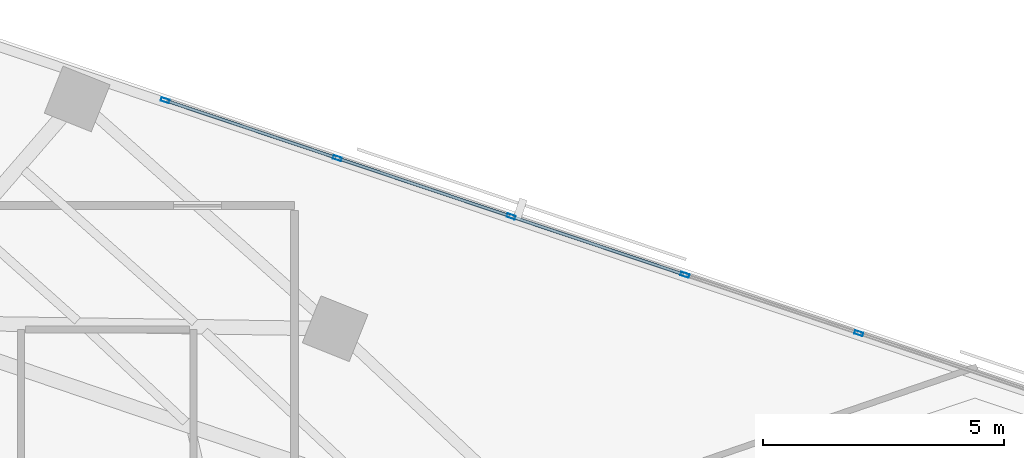
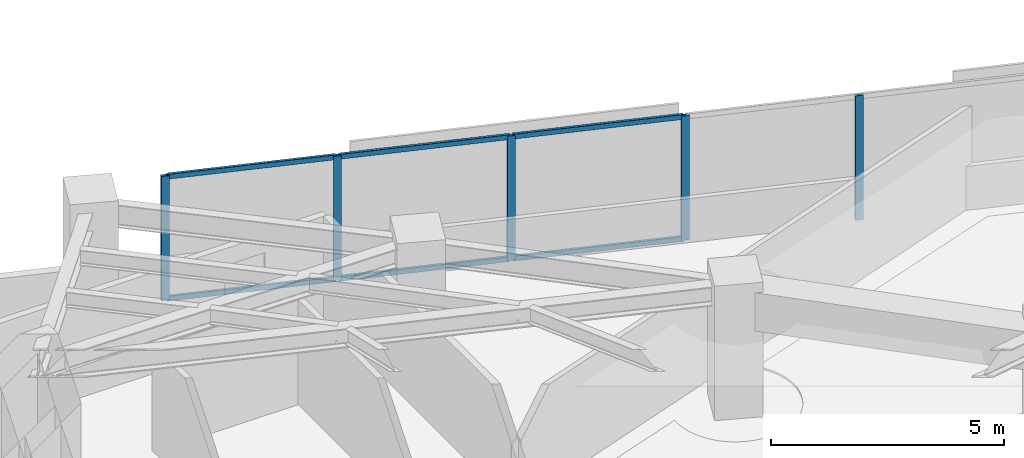
# One storey, part 4 of 15: 11 members, 1 element without a shape of its own.
"""IFC4 building model written with IfcOpenShell, lengths in metres."""

from ifc_helpers import new_model, si_unit, direction, frame, origin, origin_2d, place, context, subcontext, project, spatial, hollow_rectangle, extrude, material, material_profile, profile_set, type_object, element, aggregate, save


model = new_model("IFC4")

# Units and contexts
model_context = context("Model", 3, precision=1e-05, world=origin(), true_north=direction((0.0, 1.0)))
body_context = subcontext(model_context, "Body", "Model", "MODEL_VIEW")
ifc_project = project(units=[si_unit("LENGTHUNIT", "METRE"), si_unit("AREAUNIT", "SQUARE_METRE"), si_unit("VOLUMEUNIT", "CUBIC_METRE"), si_unit("PLANEANGLEUNIT", "RADIAN"), si_unit("MASSUNIT", "GRAM", prefix="KILO")], contexts=[model_context])

# Site, building, storey
site_placement = place(None, origin())
site = spatial("IfcSite", under=ifc_project, at=site_placement, CompositionType="ELEMENT")
building_placement = place(site_placement, origin())
building = spatial("IfcBuilding", under=site, at=building_placement, Name="Narakoshi Arena Tower", CompositionType="ELEMENT")
storey_placement = place(building_placement, frame((0.0, 0.0, 186.139892578125)))
storey = spatial("IfcBuildingStorey", under=building, at=storey_placement, Name="L50", CompositionType="ELEMENT", Elevation=186.139892578125)

# Curtain wall, members
ifc_material = material(Name="Anodised bronze aluminium 6063-T6", Category="aluminium")
curtain_wall_type = type_object("IfcCurtainWallType", Name="CW-HYP-MID", PredefinedType="NOTDEFINED", material=ifc_material)
curtain_wall_placement = place(storey_placement, origin())
curtain_wall = element("IfcCurtainWall", 1, at=curtain_wall_placement, inside=storey, type_object=curtain_wall_type, Name="L50 Folded Hypotenuse Curtain Wall 1-1", PredefinedType="NOTDEFINED")
ifc_material_profile_1 = material_profile(ifc_material, hollow_rectangle(XDim=0.074951171875, YDim=0.179931640625, WallThickness=0.00390625, OuterFilletRadius=0.0048828125, at=origin_2d()), Name="MUL180x75x4")
ifc_profile_set_1 = profile_set([ifc_material_profile_1], Name="Anodised bronze aluminium 6063-T6")
member_type_1 = type_object("IfcMemberType", Name="MEM-MUL-180", PredefinedType="MULLION", material=ifc_profile_set_1)
member_1_placement = place(storey_placement, frame((105.783447265625, 56.272705078125, 0.0), z_axis=(0.0, 0.0, 1.0), x_axis=(-0.318260960253, -0.948003144077, 0.0)))
member_1 = element("IfcMember", 2, at=member_1_placement, type_object=member_type_1, Name="CW-02 mullion 4", PredefinedType="MULLION", context=body_context, shape_type="SweptSolid", body=[
    extrude(hollow_rectangle(XDim=0.074951171875, YDim=0.179931640625, WallThickness=0.00390625, OuterFilletRadius=0.0048828125, at=origin_2d()), origin(), (0.0, 0.0, 1.0), 3.260009765625),
])
member_2_placement = place(storey_placement, frame((102.176025390625, 57.48388671875, 0.0), z_axis=(0.0, 0.0, 1.0), x_axis=(-0.318260960253, -0.948003144077, 0.0)))
member_2 = element("IfcMember", 3, at=member_2_placement, type_object=member_type_1, Name="CW-02 mullion 5", PredefinedType="MULLION", context=body_context, shape_type="SweptSolid", body=[
    extrude(hollow_rectangle(XDim=0.074951171875, YDim=0.179931640625, WallThickness=0.00390625, OuterFilletRadius=0.0048828125, at=origin_2d()), origin(), (0.0, 0.0, 1.0), 3.260009765625),
])
member_3_placement = place(storey_placement, frame((98.568359375, 58.695068359375, 0.0), z_axis=(0.0, 0.0, 1.0), x_axis=(-0.318260960253, -0.948003144077, 0.0)))
member_3 = element("IfcMember", 4, at=member_3_placement, type_object=member_type_1, Name="CW-02 mullion 6", PredefinedType="MULLION", context=body_context, shape_type="SweptSolid", body=[
    extrude(hollow_rectangle(XDim=0.074951171875, YDim=0.179931640625, WallThickness=0.00390625, OuterFilletRadius=0.0048828125, at=origin_2d()), origin(), (0.0, 0.0, 1.0), 3.260009765625),
])
member_4_placement = place(storey_placement, frame((94.960693359375, 59.90625, 0.0), z_axis=(0.0, 0.0, 1.0), x_axis=(-0.318260960253, -0.948003144077, 0.0)))
member_4 = element("IfcMember", 5, at=member_4_placement, type_object=member_type_1, Name="CW-02 mullion 7", PredefinedType="MULLION", context=body_context, shape_type="SweptSolid", body=[
    extrude(hollow_rectangle(XDim=0.074951171875, YDim=0.179931640625, WallThickness=0.00390625, OuterFilletRadius=0.0048828125, at=origin_2d()), origin(), (0.0, 0.0, 1.0), 3.260009765625),
])
member_5_placement = place(storey_placement, frame((91.388671875, 61.10546875, 0.0), z_axis=(0.0, 0.0, 1.0), x_axis=(-0.318260960253, -0.948003144077, 0.0)))
member_5 = element("IfcMember", 6, at=member_5_placement, type_object=member_type_1, Name="CW-02 mullion 8", PredefinedType="MULLION", context=body_context, shape_type="SweptSolid", body=[
    extrude(hollow_rectangle(XDim=0.074951171875, YDim=0.179931640625, WallThickness=0.00390625, OuterFilletRadius=0.0048828125, at=origin_2d()), origin(), (0.0, 0.0, 1.0), 3.260009765625),
])
ifc_material_profile_2 = material_profile(ifc_material, hollow_rectangle(XDim=0.06494140625, YDim=0.1298828125, WallThickness=0.00390625, OuterFilletRadius=0.0048828125, at=origin_2d()), Name="TRN130x65x4")
ifc_profile_set_2 = profile_set([ifc_material_profile_2], Name="Anodised bronze aluminium 6063-T6")
member_type_2 = type_object("IfcMemberType", Name="MEM-TRN-130", PredefinedType="USERDEFINED", material=ifc_profile_set_2)
member_6_placement = place(storey_placement, frame((102.140380859375, 57.495849609375, 0.03271484375), z_axis=(-0.948000451231, 0.318268981314, 0.0), x_axis=(-0.318268981314, -0.948000451231, 0.0)))
member_6 = element("IfcMember", 7, at=member_6_placement, type_object=member_type_2, Name="CW-02 transom 5.1", ObjectType="TRANSOM", PredefinedType="USERDEFINED", context=body_context, shape_type="SweptSolid", body=[
    extrude(hollow_rectangle(XDim=0.06494140625, YDim=0.1298828125, WallThickness=0.00390625, OuterFilletRadius=0.0048828125, at=origin_2d()), origin(), (0.0, 0.0, 1.0), 3.73046875),
])
member_7_placement = place(storey_placement, frame((102.140380859375, 57.495849609375, 3.2275390625), z_axis=(-0.948000451231, 0.318268981314, 0.0), x_axis=(-0.318268981314, -0.948000451231, 0.0)))
member_7 = element("IfcMember", 8, at=member_7_placement, type_object=member_type_2, Name="CW-02 transom 5.2", ObjectType="TRANSOM", PredefinedType="USERDEFINED", context=body_context, shape_type="SweptSolid", body=[
    extrude(hollow_rectangle(XDim=0.06494140625, YDim=0.1298828125, WallThickness=0.00390625, OuterFilletRadius=0.0048828125, at=origin_2d()), origin(), (0.0, 0.0, 1.0), 3.73046875),
])
member_8_placement = place(storey_placement, frame((98.53271484375, 58.70703125, 0.03271484375), z_axis=(-0.948000451231, 0.318268981314, 0.0), x_axis=(-0.318268981314, -0.948000451231, 0.0)))
member_8 = element("IfcMember", 9, at=member_8_placement, type_object=member_type_2, Name="CW-02 transom 6.1", ObjectType="TRANSOM", PredefinedType="USERDEFINED", context=body_context, shape_type="SweptSolid", body=[
    extrude(hollow_rectangle(XDim=0.06494140625, YDim=0.1298828125, WallThickness=0.00390625, OuterFilletRadius=0.0048828125, at=origin_2d()), origin(), (0.0, 0.0, 1.0), 3.73046875),
])
member_9_placement = place(storey_placement, frame((98.53271484375, 58.70703125, 3.2275390625), z_axis=(-0.948000451231, 0.318268981314, 0.0), x_axis=(-0.318268981314, -0.948000451231, 0.0)))
member_9 = element("IfcMember", 10, at=member_9_placement, type_object=member_type_2, Name="CW-02 transom 6.2", ObjectType="TRANSOM", PredefinedType="USERDEFINED", context=body_context, shape_type="SweptSolid", body=[
    extrude(hollow_rectangle(XDim=0.06494140625, YDim=0.1298828125, WallThickness=0.00390625, OuterFilletRadius=0.0048828125, at=origin_2d()), origin(), (0.0, 0.0, 1.0), 3.73046875),
])
member_10_placement = place(storey_placement, frame((94.92529296875, 59.918212890625, 0.03271484375), z_axis=(-0.948006826737, 0.31824999051, 0.0), x_axis=(-0.31824999051, -0.948006826737, 0.0)))
member_10 = element("IfcMember", 11, at=member_10_placement, type_object=member_type_2, Name="CW-02 transom 7.1", ObjectType="TRANSOM", PredefinedType="USERDEFINED", context=body_context, shape_type="SweptSolid", body=[
    extrude(hollow_rectangle(XDim=0.06494140625, YDim=0.1298828125, WallThickness=0.00390625, OuterFilletRadius=0.0048828125, at=origin_2d()), origin(), (0.0, 0.0, 1.0), 3.69287109375),
])
member_11_placement = place(storey_placement, frame((94.92529296875, 59.918212890625, 3.2275390625), z_axis=(-0.948006826737, 0.31824999051, 0.0), x_axis=(-0.31824999051, -0.948006826737, 0.0)))
member_11 = element("IfcMember", 12, at=member_11_placement, type_object=member_type_2, Name="CW-02 transom 7.2", ObjectType="TRANSOM", PredefinedType="USERDEFINED", context=body_context, shape_type="SweptSolid", body=[
    extrude(hollow_rectangle(XDim=0.06494140625, YDim=0.1298828125, WallThickness=0.00390625, OuterFilletRadius=0.0048828125, at=origin_2d()), origin(), (0.0, 0.0, 1.0), 3.69287109375),
])
aggregate(curtain_wall, [member_1, member_2, member_3, member_4, member_5, member_6, member_7, member_8, member_9, member_10, member_11])

save(model, "model.ifc")
